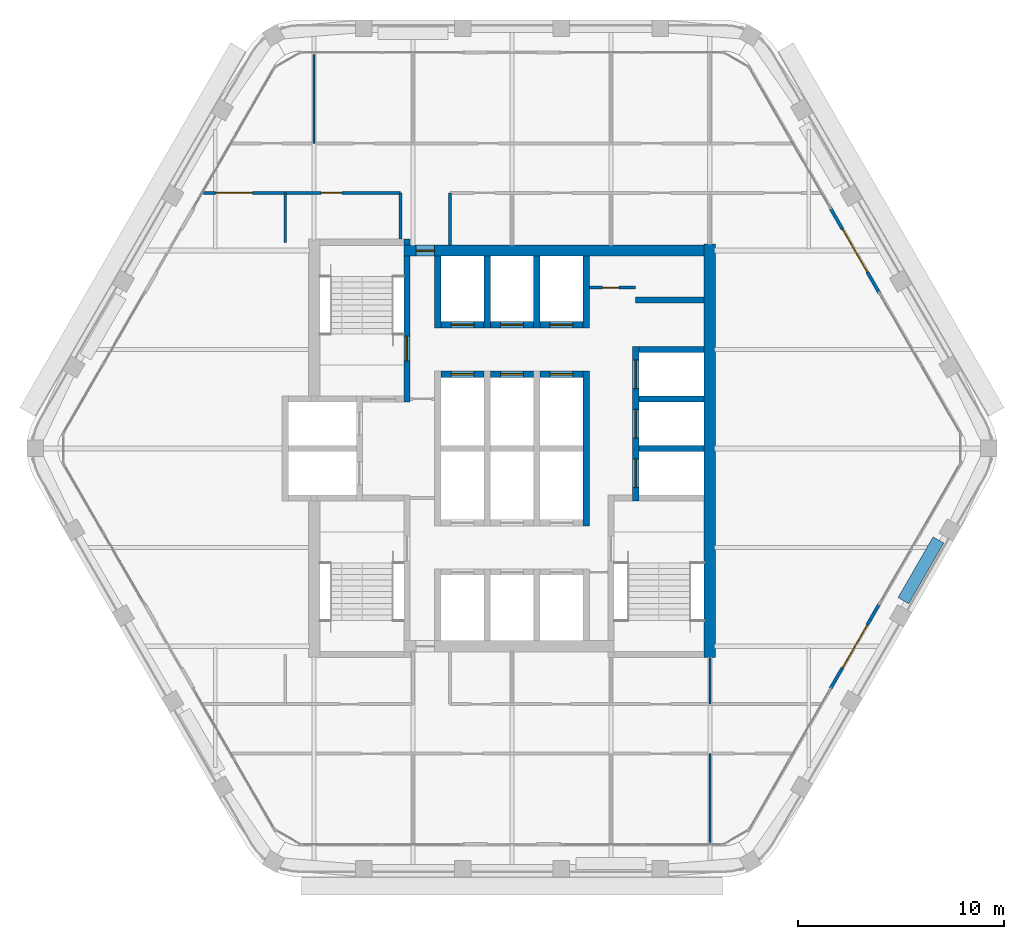
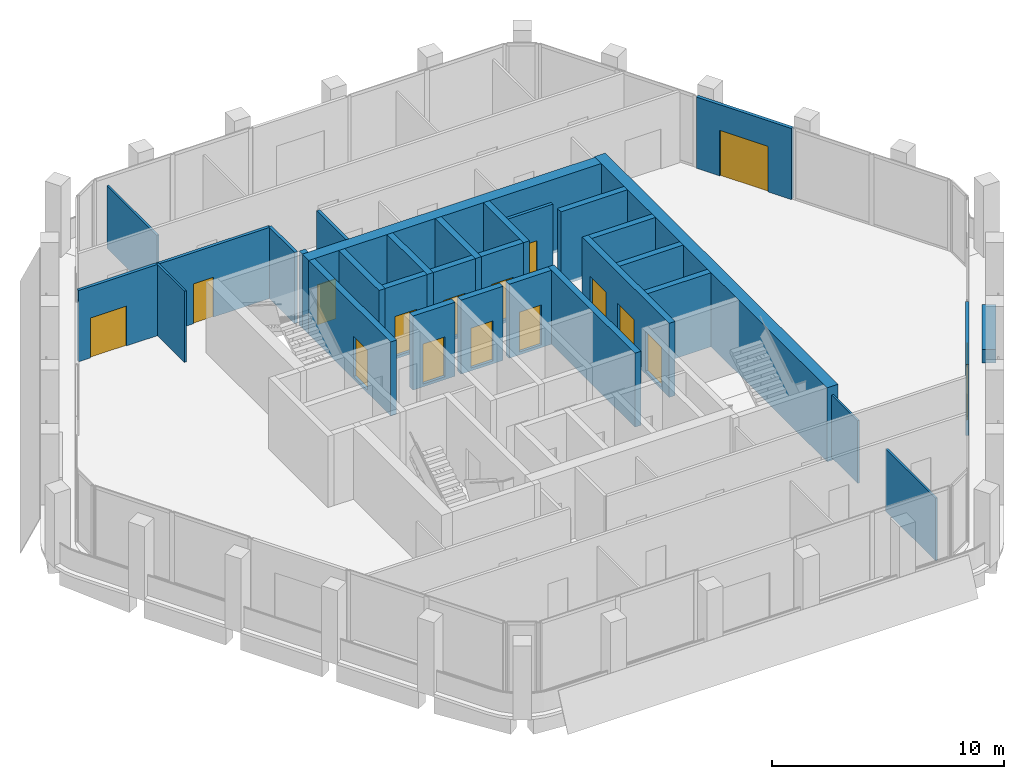
# One storey, part 9 of 14: 31 walls, 16 doors, 16 openings.
"""IFC4 building model written with IfcOpenShell, lengths in metres."""

import ifcopenshell
import ifcopenshell.guid

model = None  # the IFC model being written
_history = None  # IfcOwnerHistory: only IFC2X3 demands one
_inside = {}  # id of a spatial element -> (the spatial element, [elements in it])
_under = {}  # id of a project, library or spatial element -> (it, [spatial elements below it])
_declared = {}  # id of a project -> (the project, [libraries it declares])
_typed = {}  # id of a type object -> (the type object, [elements of that type])
_made_of = {}  # id of a material, layer set ... -> (it, [elements and type objects made of it])


def new_model(schema):
    """Start an empty IFC model of exactly this schema.

    Asked for "IFC4X3", IfcOpenShell would pick the latest addendum, in which some entities
    have other attributes; the version numbers below select the first issue.
    IFC2X3 requires an IfcOwnerHistory on every rooted entity: one is made here for all.
    """
    global model, _history
    if schema == "IFC4X3":
        model = ifcopenshell.file(schema_version=(4, 3, 0, 0))
    else:
        model = ifcopenshell.file(schema=schema)
    _inside.clear()
    _under.clear()
    _declared.clear()
    _typed.clear()
    _made_of.clear()
    _history = None
    if model.schema == "IFC2X3":
        org = make("IfcOrganization", Name="unknown")
        user = make(
            "IfcPersonAndOrganization",
            ThePerson=make("IfcPerson", FamilyName="unknown"),
            TheOrganization=org,
        )
        app = make(
            "IfcApplication",
            ApplicationDeveloper=org,
            Version="unknown",
            ApplicationFullName="unknown",
            ApplicationIdentifier="unknown",
        )
        _history = make(
            "IfcOwnerHistory",
            OwningUser=user,
            OwningApplication=app,
            ChangeAction="ADDED",
            CreationDate=0,
        )
    return model


def make(cls, **values):
    """One entity of the class cls with the attributes given. An attribute that is None is left unset."""
    return model.create_entity(
        cls, **{name: value for name, value in values.items() if value is not None}
    )


def rooted(cls, **values):
    """An entity with a GlobalId (a new one), such as an element, a storey or a relation."""
    return make(cls, GlobalId=ifcopenshell.guid.new(), OwnerHistory=_history, **values)


def si_unit(unit_type, name, prefix=None):
    """IfcSIUnit, for example si_unit("LENGTHUNIT", "METRE", prefix="MILLI")."""
    return make("IfcSIUnit", UnitType=unit_type, Prefix=prefix, Name=name)


def assignment(units):
    """IfcUnitAssignment: the units of a project."""
    return None if units is None else make("IfcUnitAssignment", Units=units)


def point(xyz):
    """IfcCartesianPoint."""
    return None if xyz is None else make("IfcCartesianPoint", Coordinates=xyz)


def direction(xyz):
    """IfcDirection."""
    return None if xyz is None else make("IfcDirection", DirectionRatios=xyz)


def frame(location, z_axis=None, x_axis=None):
    """IfcAxis2Placement3D, a coordinate frame: its origin and axes. An axis left out is left unset."""
    return make(
        "IfcAxis2Placement3D",
        Location=point(location),
        Axis=direction(z_axis),
        RefDirection=direction(x_axis),
    )


def frame_2d(location, x_axis=None):
    """IfcAxis2Placement2D, a coordinate frame in the plane: its origin and x axis."""
    return make(
        "IfcAxis2Placement2D", Location=point(location), RefDirection=direction(x_axis)
    )


def origin():
    """The frame at (0, 0, 0) with its axes left unset."""
    return frame((0.0, 0.0, 0.0))


def place(relative_to, where):
    """IfcLocalPlacement: puts the frame where relative to a parent placement (None: the world)."""
    return make(
        "IfcLocalPlacement", PlacementRelTo=relative_to, RelativePlacement=where
    )


def context(
    kind, dimensions, precision=None, world=None, true_north=None, identifier=None
):
    """IfcGeometricRepresentationContext, for example the 3D "Model" context."""
    return make(
        "IfcGeometricRepresentationContext",
        ContextIdentifier=identifier,
        ContextType=kind,
        CoordinateSpaceDimension=dimensions,
        Precision=precision,
        WorldCoordinateSystem=world,
        TrueNorth=true_north,
    )


def subcontext(parent, identifier, kind, view, scale=None):
    """IfcGeometricRepresentationSubContext, for example "Body" below "Model"."""
    return make(
        "IfcGeometricRepresentationSubContext",
        ContextIdentifier=identifier,
        ContextType=kind,
        ParentContext=parent,
        TargetScale=scale,
        TargetView=view,
    )


def project(units=None, contexts=None):
    """IfcProject with its units and contexts."""
    return rooted(
        "IfcProject",
        Name="project",
        RepresentationContexts=contexts,
        UnitsInContext=assignment(units),
    )


def spatial(cls, under=None, at=None, **own):
    """A site, building, storey or space (cls), placed at a placement, below another one or the project."""
    s = rooted(cls, ObjectPlacement=at, **own)
    if under is not None:
        _under.setdefault(under.id(), (under, []))[1].append(s)
    return s


def profile(cls, at=None, kind="AREA", **sizes):
    """A parametric profile (cls). Its sizes go by their IFC names, for example OverallWidth=200.0."""
    return make(cls, ProfileType=kind, Position=at, **sizes)


def rectangle(**sizes):
    """IfcRectangleProfileDef."""
    return profile("IfcRectangleProfileDef", **sizes)


def extrude(swept, where, along, depth):
    """IfcExtrudedAreaSolid: the profile swept, set in the frame where, extruded along a direction by depth."""
    return make(
        "IfcExtrudedAreaSolid",
        SweptArea=swept,
        Position=where,
        ExtrudedDirection=direction(along),
        Depth=depth,
    )


def shape(context_of_items, identifier, shape_type, items):
    """IfcShapeRepresentation: the items that make up one representation, for example the "Body"."""
    return make(
        "IfcShapeRepresentation",
        ContextOfItems=context_of_items,
        RepresentationIdentifier=identifier,
        RepresentationType=shape_type,
        Items=items,
    )


def material(Name=None, Category=None):
    """IfcMaterial."""
    return make("IfcMaterial", Name=Name, Category=Category)


def layer(
    of_material, thickness, ventilated=None, Name=None, Category=None, Priority=None
):
    """IfcMaterialLayer: one layer of a wall or slab, of a material (None: an air gap)."""
    return make(
        "IfcMaterialLayer",
        Material=of_material,
        LayerThickness=thickness,
        IsVentilated=ventilated,
        Name=Name,
        Category=Category,
        Priority=Priority,
    )


def layer_set(layers, Name=None):
    """IfcMaterialLayerSet."""
    return make("IfcMaterialLayerSet", MaterialLayers=layers, LayerSetName=Name)


def made_of(thing, what):
    """Note that an element or type object is made of a material, layer set ...; save() writes the relation."""
    if what is not None:
        _made_of.setdefault(what.id(), (what, []))[1].append(thing)
    return thing


def type_object(cls, material=None, **own):
    """A type object (cls), such as IfcWallType, which elements share."""
    return made_of(rooted(cls, **own), material)


def element(
    cls,
    number,
    at=None,
    inside=None,
    cuts=None,
    type_object=None,
    material=None,
    context=None,
    identifier="Body",
    shape_type=None,
    held_by="IfcProductDefinitionShape",
    body=None,
    shapes=None,
    **own,
):
    """One element of the class cls, such as IfcWall. Its Tag is "e" and its number.

    at: its placement. inside: the storey or other place that contains it. cuts: it is an
    opening in that element (IfcRelVoidsElement). A single representation is given by context,
    identifier, shape_type and body (its items); several are given by shapes. held_by: the class
    of the entity that holds the representations. save() writes the other relations.
    """
    e = rooted(cls, Tag="e%d" % number, ObjectPlacement=at, **own)
    if body is not None:
        shapes = [shape(context, identifier, shape_type, body)]
    if shapes is not None:
        e.Representation = make(held_by, Representations=shapes)
    if inside is not None:
        _inside.setdefault(inside.id(), (inside, []))[1].append(e)
    if cuts is not None:
        rooted(
            "IfcRelVoidsElement", RelatingBuildingElement=cuts, RelatedOpeningElement=e
        )
    if type_object is not None:
        _typed.setdefault(type_object.id(), (type_object, []))[1].append(e)
    return made_of(e, material)


def fill(opening, filler):
    """IfcRelFillsElement: the door or window that sits in an opening."""
    return rooted(
        "IfcRelFillsElement",
        RelatingOpeningElement=opening,
        RelatedBuildingElement=filler,
    )


def aggregate(whole, parts):
    """IfcRelAggregates: a whole, such as a stair, and the parts it consists of."""
    return rooted("IfcRelAggregates", RelatingObject=whole, RelatedObjects=parts)


def save(model, path):
    """Write the relations noted so far, then the file.

    IfcRelAggregates (storeys below a building ...), IfcRelContainedInSpatialStructure (elements
    in a storey), IfcRelDefinesByType, IfcRelAssociatesMaterial and IfcRelDeclares: one each for
    every whole, place, type object, material and project.
    """
    for whole, parts in _under.values():
        aggregate(whole, parts)
    for where, things in _inside.values():
        rooted(
            "IfcRelContainedInSpatialStructure",
            RelatedElements=things,
            RelatingStructure=where,
        )
    for kind, things in _typed.values():
        rooted("IfcRelDefinesByType", RelatedObjects=things, RelatingType=kind)
    for what, things in _made_of.values():
        rooted("IfcRelAssociatesMaterial", RelatedObjects=things, RelatingMaterial=what)
    for by, libraries in _declared.values():
        rooted("IfcRelDeclares", RelatingContext=by, RelatedDefinitions=libraries)
    model.write(path)


model = new_model("IFC4")

# Units and contexts
model_context = context("Model", 3, precision=1e-05, world=origin(), true_north=direction((0.0, 1.0)))
body_context = subcontext(model_context, "Body", "Model", "MODEL_VIEW")
ifc_project = project(units=[si_unit("LENGTHUNIT", "METRE"), si_unit("AREAUNIT", "SQUARE_METRE"), si_unit("VOLUMEUNIT", "CUBIC_METRE"), si_unit("PLANEANGLEUNIT", "RADIAN"), si_unit("MASSUNIT", "GRAM", prefix="KILO")], contexts=[model_context])

# Site, building, storey
site_placement = place(None, origin())
site = spatial("IfcSite", under=ifc_project, at=site_placement, CompositionType="ELEMENT")
building_placement = place(site_placement, origin())
building = spatial("IfcBuilding", under=site, at=building_placement, Name="Kolab Exchange Tower", CompositionType="ELEMENT")
storey_placement = place(building_placement, frame((0.0, 0.0, 246.199951171875)))
storey = spatial("IfcBuildingStorey", under=building, at=storey_placement, Name="L54", CompositionType="ELEMENT", Elevation=246.199951171875)

# Wall, opening, door
ifc_material_1 = material(Name="Concrete C50/60", Category="concrete")
ifc_layer_1 = layer(ifc_material_1, 0.550048828125)
ifc_layer_set_1 = layer_set([ifc_layer_1], Name="Concrete C50/60")
wall_type_1 = type_object("IfcWallType", Name="CORE WALL 550 C50/60", PredefinedType="SHEAR", material=ifc_layer_set_1)
wall_1_placement = place(storey_placement, frame((-5.25, 9.60009765625, -0.14990234375), z_axis=(0.0, 0.0, 1.0), x_axis=(1.0, 0.0, 0.0)))
wall_1 = element("IfcWall", 1, at=wall_1_placement, inside=storey, type_object=wall_type_1, Name="wall/L54/core/031", PredefinedType="SHEAR", context=body_context, shape_type="SweptSolid", body=[
    extrude(rectangle(XDim=14.574951171875, YDim=0.550048828125, at=frame_2d((7.28759765625, 0.0))), origin(), (0.0, 0.0, 1.0), 3.89990234375),
])
opening_1_placement = place(wall_1_placement, frame((0.60009765625, 0.0, 0.14990234375)))
opening_1 = element("IfcOpeningElement", 2, at=opening_1_placement, cuts=wall_1, Name="Opening D6-295", PredefinedType="OPENING", context=body_context, shape_type="SweptSolid", body=[
    extrude(rectangle(XDim=0.89990234375, YDim=2.10009765625, at=frame_2d((0.449951171875, 1.050048828125))), frame((0.0, 0.28515625, 0.0), z_axis=(0.0, -1.0, 0.0), x_axis=(1.0, 0.0, 0.0)), (0.0, 0.0, 1.0), 0.570068359375),
])
ifc_material_2 = material(Name="Steel S235", Category="steel")
door_type_1 = type_object("IfcDoorType", Name="CORE DOOR 900 EI 120", OperationType="SINGLE_SWING_LEFT", PredefinedType="DOOR", material=ifc_material_2)
door_1_placement = place(opening_1_placement, frame((0.89990234375, 0.0, 0.0), z_axis=(0.0, 0.0, 1.0), x_axis=(-1.0, 0.0, 0.0)))
door_1 = element("IfcDoor", 3, at=door_1_placement, inside=storey, type_object=door_type_1, Name="Core lobby door", OperationType="SINGLE_SWING_RIGHT", OverallHeight=2.10009765625, OverallWidth=0.89990234375, PredefinedType="DOOR", context=body_context, shape_type="SweptSolid", body=[
    extrude(rectangle(XDim=0.89990234375, YDim=2.10009765625, at=frame_2d((0.449951171875, 1.050048828125))), frame((0.0, 0.02490234375, 0.0), z_axis=(0.0, -1.0, 0.0), x_axis=(1.0, 0.0, 0.0)), (0.0, 0.0, 1.0), 0.050048828125),
])
fill(opening_1, door_1)

# Wall
wall_2_placement = place(storey_placement, frame((9.60009765625, -10.14990234375, -0.14990234375), z_axis=(0.0, 0.0, 1.0), x_axis=(0.0, 1.0, 0.0)))
element("IfcWall", 4, at=wall_2_placement, inside=storey, type_object=wall_type_1, Name="wall/L54/core/058", PredefinedType="SHEAR", context=body_context, shape_type="SweptSolid", body=[
    extrude(rectangle(XDim=20.074951171875, YDim=0.550048828125, at=frame_2d((10.03759765625, 0.0))), origin(), (0.0, 0.0, 1.0), 3.89990234375),
])

# Wall, opening, door
ifc_material_3 = material(Name="Aluminium EN AW-6063 T6", Category="aluminium")
ifc_layer_2 = layer(ifc_material_3, 0.159912109375)
ifc_layer_set_2 = layer_set([ifc_layer_2], Name="Aluminium EN AW-6063 T6")
wall_type_2 = type_object("IfcWallType", Name="DOOR SURROUND WALL 160 ALUMINIUM FRAMED", PredefinedType="PARTITIONING", material=ifc_layer_set_2)
wall_3_placement = place(storey_placement, frame((15.44677734375, 11.65478515625, 0.0), z_axis=(0.0, 0.0, 1.0), x_axis=(0.499978080042, -0.866038058908, 0.0)))
wall_3 = element("IfcWall", 5, at=wall_3_placement, inside=storey, type_object=wall_type_2, Name="Door surround wall", PredefinedType="PARTITIONING", context=body_context, shape_type="SweptSolid", body=[
    extrude(rectangle(XDim=4.739990234375, YDim=0.159912109375, at=frame_2d((2.3701171875, 0.0))), origin(), (0.0, 0.0, 1.0), 3.75),
])
opening_2_placement = place(wall_3_placement, frame((1.169921875, 0.0, 0.0)))
opening_2 = element("IfcOpeningElement", 6, at=opening_2_placement, cuts=wall_3, Name="Opening GD1-090", PredefinedType="OPENING", context=body_context, shape_type="SweptSolid", body=[
    extrude(rectangle(XDim=2.39990234375, YDim=2.39990234375, at=frame_2d((1.199951171875, 1.199951171875))), frame((0.0, 0.08984375, 0.0), z_axis=(0.0, -1.0, 0.0), x_axis=(1.0, 0.0, 0.0)), (0.0, 0.0, 1.0), 0.179931640625),
])
door_type_2 = type_object("IfcDoorType", Name="LOGGIA SLIDING GLASS DOOR 2400 X 2400", OperationType="DOUBLE_DOOR_SINGLE_SWING", PredefinedType="DOOR", material=ifc_material_3)
door_2_placement = place(opening_2_placement, origin())
door_2 = element("IfcDoor", 7, at=door_2_placement, inside=storey, type_object=door_type_2, Name="Loggia door", OperationType="DOUBLE_DOOR_SLIDING", OverallHeight=2.39990234375, OverallWidth=2.39990234375, PredefinedType="DOOR", context=body_context, shape_type="SweptSolid", body=[
    extrude(rectangle(XDim=2.39990234375, YDim=2.39990234375, at=frame_2d((1.199951171875, 1.199951171875))), frame((0.0, 0.02490234375, 0.0), z_axis=(0.0, -1.0, 0.0), x_axis=(1.0, 0.0, 0.0)), (0.0, 0.0, 1.0), 0.050048828125),
])
fill(opening_2, door_2)

wall_4_placement = place(storey_placement, frame((17.816650390625, -7.5498046875, 0.0), z_axis=(0.0, 0.0, 1.0), x_axis=(-0.499978080042, -0.866038058908, 0.0)))
wall_4 = element("IfcWall", 8, at=wall_4_placement, inside=storey, type_object=wall_type_2, Name="Door surround wall", PredefinedType="PARTITIONING", context=body_context, shape_type="SweptSolid", body=[
    extrude(rectangle(XDim=4.739990234375, YDim=0.159912109375, at=frame_2d((2.3701171875, 0.0))), origin(), (0.0, 0.0, 1.0), 3.75),
])
opening_3_placement = place(wall_4_placement, frame((1.169921875, 0.0, 0.0)))
opening_3 = element("IfcOpeningElement", 9, at=opening_3_placement, cuts=wall_4, Name="Opening GD1-091", PredefinedType="OPENING", context=body_context, shape_type="SweptSolid", body=[
    extrude(rectangle(XDim=2.39990234375, YDim=2.39990234375, at=frame_2d((1.199951171875, 1.199951171875))), frame((0.0, 0.08984375, 0.0), z_axis=(0.0, -1.0, 0.0), x_axis=(1.0, 0.0, 0.0)), (0.0, 0.0, 1.0), 0.179931640625),
])
door_3_placement = place(opening_3_placement, origin())
door_3 = element("IfcDoor", 10, at=door_3_placement, inside=storey, type_object=door_type_2, Name="Loggia door", OperationType="DOUBLE_DOOR_SLIDING", OverallHeight=2.39990234375, OverallWidth=2.39990234375, PredefinedType="DOOR", context=body_context, shape_type="SweptSolid", body=[
    extrude(rectangle(XDim=2.39990234375, YDim=2.39990234375, at=frame_2d((1.199951171875, 1.199951171875))), frame((0.0, 0.02490234375, 0.0), z_axis=(0.0, -1.0, 0.0), x_axis=(1.0, 0.0, 0.0)), (0.0, 0.0, 1.0), 0.050048828125),
])
fill(opening_3, door_3)

# Walls
ifc_layer_3 = layer(ifc_material_1, 0.300048828125)
ifc_layer_set_3 = layer_set([ifc_layer_3], Name="Concrete C50/60")
wall_type_3 = type_object("IfcWallType", Name="LIFT SHAFT WALL 300 C50/60", PredefinedType="STANDARD", material=ifc_layer_set_3)
for number, where, z_axis, x_axis, name in (
    (11, (6.14990234375, 0.0, -0.14990234375), (0.0, 0.0, 1.0), (1.0, 0.0, 0.0), "wall/L54/core/018"),
    (12, (6.14990234375, 2.39990234375, -0.14990234375), (0.0, 0.0, 1.0), (1.0, 0.0, 0.0), "wall/L54/core/022"),
):
    element("IfcWall", number, at=place(storey_placement, frame(where, z_axis=z_axis, x_axis=x_axis)), inside=storey, type_object=wall_type_3, Name=name, PredefinedType="STANDARD", context=body_context, shape_type="SweptSolid", body=[
        extrude(rectangle(XDim=3.175048828125, YDim=0.300048828125, at=frame_2d((1.58740234375, 0.0))), origin(), (0.0, 0.0, 1.0), 3.89990234375),
    ])

# Wall, opening, door
wall_5_placement = place(storey_placement, frame((-3.449951171875, 3.60009765625, -0.14990234375), z_axis=(0.0, 0.0, 1.0), x_axis=(1.0, 0.0, 0.0)))
wall_5 = element("IfcWall", 13, at=wall_5_placement, inside=storey, type_object=wall_type_3, Name="wall/L54/core/023", PredefinedType="STANDARD", context=body_context, shape_type="SweptSolid", body=[
    extrude(rectangle(XDim=2.099853515625, YDim=0.300048828125, at=frame_2d((1.0498046875, 0.0))), origin(), (0.0, 0.0, 1.0), 3.89990234375),
])
opening_4_placement = place(wall_5_placement, frame((0.5, 0.0, 0.14990234375)))
opening_4 = element("IfcOpeningElement", 14, at=opening_4_placement, cuts=wall_5, Name="Opening LD1-115", PredefinedType="OPENING", context=body_context, shape_type="SweptSolid", body=[
    extrude(rectangle(XDim=1.10009765625, YDim=2.10009765625, at=frame_2d((0.550048828125, 1.050048828125))), frame((0.0, 0.16015625, 0.0), z_axis=(0.0, -1.0, 0.0), x_axis=(1.0, 0.0, 0.0)), (0.0, 0.0, 1.0), 0.320068359375),
])
ifc_material_4 = material(Name="Stainless steel 316", Category="steel")
door_type_3 = type_object("IfcDoorType", Name="LANDING DOOR 1100 PASSENGER", OperationType="DOUBLE_DOOR_SLIDING", PredefinedType="DOOR", material=ifc_material_4)
door_4_placement = place(opening_4_placement, origin())
door_4 = element("IfcDoor", 15, at=door_4_placement, inside=storey, type_object=door_type_3, Name="Landing door HR4", OperationType="DOUBLE_DOOR_SLIDING", OverallHeight=2.10009765625, OverallWidth=1.10009765625, PredefinedType="DOOR", context=body_context, shape_type="SweptSolid", body=[
    extrude(rectangle(XDim=1.10009765625, YDim=2.10009765625, at=frame_2d((0.550048828125, 1.050048828125))), frame((0.0, 0.02490234375, 0.0), z_axis=(0.0, -1.0, 0.0), x_axis=(1.0, 0.0, 0.0)), (0.0, 0.0, 1.0), 0.050048828125),
])
fill(opening_4, door_4)

wall_6_placement = place(storey_placement, frame((-1.050048828125, 3.60009765625, -0.14990234375), z_axis=(0.0, 0.0, 1.0), x_axis=(1.0, 0.0, 0.0)))
wall_6 = element("IfcWall", 16, at=wall_6_placement, inside=storey, type_object=wall_type_3, Name="wall/L54/core/024", PredefinedType="STANDARD", context=body_context, shape_type="SweptSolid", body=[
    extrude(rectangle(XDim=2.10009765625, YDim=0.300048828125, at=frame_2d((1.050048828125, 0.0))), origin(), (0.0, 0.0, 1.0), 3.89990234375),
])
opening_5_placement = place(wall_6_placement, frame((0.5, 0.0, 0.14990234375)))
opening_5 = element("IfcOpeningElement", 17, at=opening_5_placement, cuts=wall_6, Name="Opening LD1-116", PredefinedType="OPENING", context=body_context, shape_type="SweptSolid", body=[
    extrude(rectangle(XDim=1.10009765625, YDim=2.10009765625, at=frame_2d((0.550048828125, 1.050048828125))), frame((0.0, 0.16015625, 0.0), z_axis=(0.0, -1.0, 0.0), x_axis=(1.0, 0.0, 0.0)), (0.0, 0.0, 1.0), 0.320068359375),
])
door_5_placement = place(opening_5_placement, origin())
door_5 = element("IfcDoor", 18, at=door_5_placement, inside=storey, type_object=door_type_3, Name="Landing door HR5", OperationType="DOUBLE_DOOR_SLIDING", OverallHeight=2.10009765625, OverallWidth=1.10009765625, PredefinedType="DOOR", context=body_context, shape_type="SweptSolid", body=[
    extrude(rectangle(XDim=1.10009765625, YDim=2.10009765625, at=frame_2d((0.550048828125, 1.050048828125))), frame((0.0, 0.02490234375, 0.0), z_axis=(0.0, -1.0, 0.0), x_axis=(1.0, 0.0, 0.0)), (0.0, 0.0, 1.0), 0.050048828125),
])
fill(opening_5, door_5)

wall_7_placement = place(storey_placement, frame((1.35009765625, 3.60009765625, -0.14990234375), z_axis=(0.0, 0.0, 1.0), x_axis=(1.0, 0.0, 0.0)))
wall_7 = element("IfcWall", 19, at=wall_7_placement, inside=storey, type_object=wall_type_3, Name="wall/L54/core/025", PredefinedType="STANDARD", context=body_context, shape_type="SweptSolid", body=[
    extrude(rectangle(XDim=2.099853515625, YDim=0.300048828125, at=frame_2d((1.0498046875, 0.0))), origin(), (0.0, 0.0, 1.0), 3.89990234375),
])
opening_6_placement = place(wall_7_placement, frame((0.5, 0.0, 0.14990234375)))
opening_6 = element("IfcOpeningElement", 20, at=opening_6_placement, cuts=wall_7, Name="Opening LD1-117", PredefinedType="OPENING", context=body_context, shape_type="SweptSolid", body=[
    extrude(rectangle(XDim=1.10009765625, YDim=2.10009765625, at=frame_2d((0.550048828125, 1.050048828125))), frame((0.0, 0.16015625, 0.0), z_axis=(0.0, -1.0, 0.0), x_axis=(1.0, 0.0, 0.0)), (0.0, 0.0, 1.0), 0.320068359375),
])
door_6_placement = place(opening_6_placement, origin())
door_6 = element("IfcDoor", 21, at=door_6_placement, inside=storey, type_object=door_type_3, Name="Landing door HR6", OperationType="DOUBLE_DOOR_SLIDING", OverallHeight=2.10009765625, OverallWidth=1.10009765625, PredefinedType="DOOR", context=body_context, shape_type="SweptSolid", body=[
    extrude(rectangle(XDim=1.10009765625, YDim=2.10009765625, at=frame_2d((0.550048828125, 1.050048828125))), frame((0.0, 0.02490234375, 0.0), z_axis=(0.0, -1.0, 0.0), x_axis=(1.0, 0.0, 0.0)), (0.0, 0.0, 1.0), 0.050048828125),
])
fill(opening_6, door_6)

# Wall
wall_8_placement = place(storey_placement, frame((6.14990234375, 4.800048828125, -0.14990234375), z_axis=(0.0, 0.0, 1.0), x_axis=(1.0, 0.0, 0.0)))
element("IfcWall", 22, at=wall_8_placement, inside=storey, type_object=wall_type_3, Name="wall/L54/core/026", PredefinedType="STANDARD", context=body_context, shape_type="SweptSolid", body=[
    extrude(rectangle(XDim=3.175048828125, YDim=0.300048828125, at=frame_2d((1.58740234375, 0.0))), origin(), (0.0, 0.0, 1.0), 3.89990234375),
])

# Wall, opening, door
wall_9_placement = place(storey_placement, frame((-3.449951171875, 6.0, -0.14990234375), z_axis=(0.0, 0.0, 1.0), x_axis=(1.0, 0.0, 0.0)))
wall_9 = element("IfcWall", 23, at=wall_9_placement, inside=storey, type_object=wall_type_3, Name="wall/L54/core/027", PredefinedType="STANDARD", context=body_context, shape_type="SweptSolid", body=[
    extrude(rectangle(XDim=2.099853515625, YDim=0.300048828125, at=frame_2d((1.0498046875, 0.0))), origin(), (0.0, 0.0, 1.0), 3.89990234375),
])
opening_7_placement = place(wall_9_placement, frame((0.5, 0.0, 0.14990234375)))
opening_7 = element("IfcOpeningElement", 24, at=opening_7_placement, cuts=wall_9, Name="Opening LD1-109", PredefinedType="OPENING", context=body_context, shape_type="SweptSolid", body=[
    extrude(rectangle(XDim=1.10009765625, YDim=2.10009765625, at=frame_2d((0.550048828125, 1.050048828125))), frame((0.0, 0.16015625, 0.0), z_axis=(0.0, -1.0, 0.0), x_axis=(1.0, 0.0, 0.0)), (0.0, 0.0, 1.0), 0.320068359375),
])
door_7_placement = place(opening_7_placement, origin())
door_7 = element("IfcDoor", 25, at=door_7_placement, inside=storey, type_object=door_type_3, Name="Landing door HR1", OperationType="DOUBLE_DOOR_SLIDING", OverallHeight=2.10009765625, OverallWidth=1.10009765625, PredefinedType="DOOR", context=body_context, shape_type="SweptSolid", body=[
    extrude(rectangle(XDim=1.10009765625, YDim=2.10009765625, at=frame_2d((0.550048828125, 1.050048828125))), frame((0.0, 0.02490234375, 0.0), z_axis=(0.0, -1.0, 0.0), x_axis=(1.0, 0.0, 0.0)), (0.0, 0.0, 1.0), 0.050048828125),
])
fill(opening_7, door_7)

wall_10_placement = place(storey_placement, frame((-1.050048828125, 6.0, -0.14990234375), z_axis=(0.0, 0.0, 1.0), x_axis=(1.0, 0.0, 0.0)))
wall_10 = element("IfcWall", 26, at=wall_10_placement, inside=storey, type_object=wall_type_3, Name="wall/L54/core/028", PredefinedType="STANDARD", context=body_context, shape_type="SweptSolid", body=[
    extrude(rectangle(XDim=2.10009765625, YDim=0.300048828125, at=frame_2d((1.050048828125, 0.0))), origin(), (0.0, 0.0, 1.0), 3.89990234375),
])
opening_8_placement = place(wall_10_placement, frame((0.5, 0.0, 0.14990234375)))
opening_8 = element("IfcOpeningElement", 27, at=opening_8_placement, cuts=wall_10, Name="Opening LD1-113", PredefinedType="OPENING", context=body_context, shape_type="SweptSolid", body=[
    extrude(rectangle(XDim=1.10009765625, YDim=2.10009765625, at=frame_2d((0.550048828125, 1.050048828125))), frame((0.0, 0.16015625, 0.0), z_axis=(0.0, -1.0, 0.0), x_axis=(1.0, 0.0, 0.0)), (0.0, 0.0, 1.0), 0.320068359375),
])
door_8_placement = place(opening_8_placement, origin())
door_8 = element("IfcDoor", 28, at=door_8_placement, inside=storey, type_object=door_type_3, Name="Landing door HR2", OperationType="DOUBLE_DOOR_SLIDING", OverallHeight=2.10009765625, OverallWidth=1.10009765625, PredefinedType="DOOR", context=body_context, shape_type="SweptSolid", body=[
    extrude(rectangle(XDim=1.10009765625, YDim=2.10009765625, at=frame_2d((0.550048828125, 1.050048828125))), frame((0.0, 0.02490234375, 0.0), z_axis=(0.0, -1.0, 0.0), x_axis=(1.0, 0.0, 0.0)), (0.0, 0.0, 1.0), 0.050048828125),
])
fill(opening_8, door_8)

wall_11_placement = place(storey_placement, frame((1.35009765625, 6.0, -0.14990234375), z_axis=(0.0, 0.0, 1.0), x_axis=(1.0, 0.0, 0.0)))
wall_11 = element("IfcWall", 29, at=wall_11_placement, inside=storey, type_object=wall_type_3, Name="wall/L54/core/029", PredefinedType="STANDARD", context=body_context, shape_type="SweptSolid", body=[
    extrude(rectangle(XDim=2.099853515625, YDim=0.300048828125, at=frame_2d((1.0498046875, 0.0))), origin(), (0.0, 0.0, 1.0), 3.89990234375),
])
opening_9_placement = place(wall_11_placement, frame((0.5, 0.0, 0.14990234375)))
opening_9 = element("IfcOpeningElement", 30, at=opening_9_placement, cuts=wall_11, Name="Opening LD1-114", PredefinedType="OPENING", context=body_context, shape_type="SweptSolid", body=[
    extrude(rectangle(XDim=1.10009765625, YDim=2.10009765625, at=frame_2d((0.550048828125, 1.050048828125))), frame((0.0, 0.16015625, 0.0), z_axis=(0.0, -1.0, 0.0), x_axis=(1.0, 0.0, 0.0)), (0.0, 0.0, 1.0), 0.320068359375),
])
door_9_placement = place(opening_9_placement, origin())
door_9 = element("IfcDoor", 31, at=door_9_placement, inside=storey, type_object=door_type_3, Name="Landing door HR3", OperationType="DOUBLE_DOOR_SLIDING", OverallHeight=2.10009765625, OverallWidth=1.10009765625, PredefinedType="DOOR", context=body_context, shape_type="SweptSolid", body=[
    extrude(rectangle(XDim=1.10009765625, YDim=2.10009765625, at=frame_2d((0.550048828125, 1.050048828125))), frame((0.0, 0.02490234375, 0.0), z_axis=(0.0, -1.0, 0.0), x_axis=(1.0, 0.0, 0.0)), (0.0, 0.0, 1.0), 0.050048828125),
])
fill(opening_9, door_9)

# Walls
wall_12_placement = place(storey_placement, frame((6.0, 7.199951171875, -0.14990234375), z_axis=(0.0, 0.0, 1.0), x_axis=(1.0, 0.0, 0.0)))
element("IfcWall", 32, at=wall_12_placement, inside=storey, type_object=wall_type_3, Name="wall/L54/core/030", PredefinedType="STANDARD", context=body_context, shape_type="SweptSolid", body=[
    extrude(rectangle(XDim=3.324951171875, YDim=0.300048828125, at=frame_2d((1.66259765625, 0.0))), origin(), (0.0, 0.0, 1.0), 3.89990234375),
])
for number, where, z_axis, x_axis, name in (
    (33, (-3.60009765625, 5.85009765625, -0.14990234375), (0.0, 0.0, 1.0), (0.0, 1.0, 0.0), "wall/L54/core/045"),
    (34, (-1.199951171875, 5.85009765625, -0.14990234375), (0.0, 0.0, 1.0), (0.0, 1.0, 0.0), "wall/L54/core/048"),
    (35, (1.199951171875, 5.85009765625, -0.14990234375), (0.0, 0.0, 1.0), (0.0, 1.0, 0.0), "wall/L54/core/051"),
):
    element("IfcWall", number, at=place(storey_placement, frame(where, z_axis=z_axis, x_axis=x_axis)), inside=storey, type_object=wall_type_3, Name=name, PredefinedType="STANDARD", context=body_context, shape_type="SweptSolid", body=[
        extrude(rectangle(XDim=3.474853515625, YDim=0.300048828125, at=frame_2d((1.7373046875, 0.0))), origin(), (0.0, 0.0, 1.0), 3.89990234375),
    ])
wall_13_placement = place(storey_placement, frame((3.60009765625, -3.75, -0.14990234375), z_axis=(0.0, 0.0, 1.0), x_axis=(0.0, 1.0, 0.0)))
element("IfcWall", 36, at=wall_13_placement, inside=storey, type_object=wall_type_3, Name="wall/L54/core/053", PredefinedType="STANDARD", context=body_context, shape_type="SweptSolid", body=[
    extrude(rectangle(XDim=7.5, YDim=0.300048828125, at=frame_2d((3.75, 0.0))), origin(), (0.0, 0.0, 1.0), 3.89990234375),
])
wall_14_placement = place(storey_placement, frame((3.60009765625, 5.85009765625, -0.14990234375), z_axis=(0.0, 0.0, 1.0), x_axis=(0.0, 1.0, 0.0)))
element("IfcWall", 37, at=wall_14_placement, inside=storey, type_object=wall_type_3, Name="wall/L54/core/054", PredefinedType="STANDARD", context=body_context, shape_type="SweptSolid", body=[
    extrude(rectangle(XDim=3.474853515625, YDim=0.300048828125, at=frame_2d((1.7373046875, 0.0))), origin(), (0.0, 0.0, 1.0), 3.89990234375),
])

# Wall, openings, doors
wall_15_placement = place(storey_placement, frame((6.0, -2.550048828125, -0.14990234375), z_axis=(0.0, 0.0, 1.0), x_axis=(0.0, 1.0, 0.0)))
wall_15 = element("IfcWall", 38, at=wall_15_placement, inside=storey, type_object=wall_type_3, Name="wall/L54/core/057", PredefinedType="STANDARD", context=body_context, shape_type="SweptSolid", body=[
    extrude(rectangle(XDim=7.5, YDim=0.300048828125, at=frame_2d((3.75, 0.0))), origin(), (0.0, 0.0, 1.0), 3.89990234375),
])
opening_10_placement = place(wall_15_placement, frame((0.64990234375, 0.0, 0.14990234375)))
opening_10 = element("IfcOpeningElement", 39, at=opening_10_placement, cuts=wall_15, Name="Opening LD3-037", PredefinedType="OPENING", context=body_context, shape_type="SweptSolid", body=[
    extrude(rectangle(XDim=1.39990234375, YDim=2.10009765625, at=frame_2d((0.699951171875, 1.050048828125))), frame((0.0, 0.16015625, 0.0), z_axis=(0.0, -1.0, 0.0), x_axis=(1.0, 0.0, 0.0)), (0.0, 0.0, 1.0), 0.320068359375),
])
opening_11_placement = place(wall_15_placement, frame((3.050048828125, 0.0, 0.14990234375)))
opening_11 = element("IfcOpeningElement", 40, at=opening_11_placement, cuts=wall_15, Name="Opening LD3-038", PredefinedType="OPENING", context=body_context, shape_type="SweptSolid", body=[
    extrude(rectangle(XDim=1.39990234375, YDim=2.10009765625, at=frame_2d((0.699951171875, 1.050048828125))), frame((0.0, 0.16015625, 0.0), z_axis=(0.0, -1.0, 0.0), x_axis=(1.0, 0.0, 0.0)), (0.0, 0.0, 1.0), 0.320068359375),
])
opening_12_placement = place(wall_15_placement, frame((5.449951171875, 0.0, 0.14990234375)))
opening_12 = element("IfcOpeningElement", 41, at=opening_12_placement, cuts=wall_15, Name="Opening LD3-039", PredefinedType="OPENING", context=body_context, shape_type="SweptSolid", body=[
    extrude(rectangle(XDim=1.39990234375, YDim=2.10009765625, at=frame_2d((0.699951171875, 1.050048828125))), frame((0.0, 0.16015625, 0.0), z_axis=(0.0, -1.0, 0.0), x_axis=(1.0, 0.0, 0.0)), (0.0, 0.0, 1.0), 0.320068359375),
])
door_type_4 = type_object("IfcDoorType", Name="LANDING DOOR 1400 SERVICE", OperationType="DOUBLE_DOOR_SLIDING", PredefinedType="DOOR", material=ifc_material_4)
door_10_placement = place(opening_10_placement, origin())
door_10 = element("IfcDoor", 42, at=door_10_placement, inside=storey, type_object=door_type_4, Name="Landing door SV1", OperationType="DOUBLE_DOOR_SLIDING", OverallHeight=2.10009765625, OverallWidth=1.39990234375, PredefinedType="DOOR", context=body_context, shape_type="SweptSolid", body=[
    extrude(rectangle(XDim=1.39990234375, YDim=2.10009765625, at=frame_2d((0.699951171875, 1.050048828125))), frame((0.0, 0.02490234375, 0.0), z_axis=(0.0, -1.0, 0.0), x_axis=(1.0, 0.0, 0.0)), (0.0, 0.0, 1.0), 0.050048828125),
])
fill(opening_10, door_10)
door_11_placement = place(opening_11_placement, origin())
door_11 = element("IfcDoor", 43, at=door_11_placement, inside=storey, type_object=door_type_4, Name="Landing door SV2", OperationType="DOUBLE_DOOR_SLIDING", OverallHeight=2.10009765625, OverallWidth=1.39990234375, PredefinedType="DOOR", context=body_context, shape_type="SweptSolid", body=[
    extrude(rectangle(XDim=1.39990234375, YDim=2.10009765625, at=frame_2d((0.699951171875, 1.050048828125))), frame((0.0, 0.02490234375, 0.0), z_axis=(0.0, -1.0, 0.0), x_axis=(1.0, 0.0, 0.0)), (0.0, 0.0, 1.0), 0.050048828125),
])
fill(opening_11, door_11)
door_12_placement = place(opening_12_placement, origin())
door_12 = element("IfcDoor", 44, at=door_12_placement, inside=storey, type_object=door_type_4, Name="Landing door SV3", OperationType="DOUBLE_DOOR_SLIDING", OverallHeight=2.10009765625, OverallWidth=1.39990234375, PredefinedType="DOOR", context=body_context, shape_type="SweptSolid", body=[
    extrude(rectangle(XDim=1.39990234375, YDim=2.10009765625, at=frame_2d((0.699951171875, 1.050048828125))), frame((0.0, 0.02490234375, 0.0), z_axis=(0.0, -1.0, 0.0), x_axis=(1.0, 0.0, 0.0)), (0.0, 0.0, 1.0), 0.050048828125),
])
fill(opening_12, door_12)

# Walls
ifc_material_5 = material(Name="Gypsum board", Category="gypsum")
ifc_layer_4 = layer(ifc_material_5, 0.10009765625)
ifc_layer_set_4 = layer_set([ifc_layer_4], Name="Gypsum board")
wall_type_4 = type_object("IfcWallType", Name="PARTITION 100", PredefinedType="PARTITIONING", material=ifc_layer_set_4)
wall_16_placement = place(storey_placement, frame((9.60009765625, -19.114501953125, 0.0), z_axis=(0.0, 0.0, 1.0), x_axis=(0.0, 1.0, 0.0)))
element("IfcWall", 45, at=wall_16_placement, inside=storey, type_object=wall_type_4, Name="Partition 000", PredefinedType="PARTITIONING", context=body_context, shape_type="SweptSolid", body=[
    extrude(rectangle(XDim=4.314453125, YDim=0.10009765625, at=frame_2d((2.1572265625, 0.0))), origin(), (0.0, 0.0, 1.0), 3.29296875),
])
wall_17_placement = place(storey_placement, frame((9.60009765625, -12.39990234375, 0.0), z_axis=(0.0, 0.0, 1.0), x_axis=(0.0, 1.0, 0.0)))
element("IfcWall", 46, at=wall_17_placement, inside=storey, type_object=wall_type_4, Name="Partition 001", PredefinedType="PARTITIONING", context=body_context, shape_type="SweptSolid", body=[
    extrude(rectangle(XDim=2.25, YDim=0.10009765625, at=frame_2d((1.125, 0.0))), origin(), (0.0, 0.0, 1.0), 3.29296875),
])
wall_18_placement = place(storey_placement, frame((-9.60009765625, 14.800048828125, 0.0), z_axis=(0.0, 0.0, 1.0), x_axis=(0.0, 1.0, 0.0)))
element("IfcWall", 47, at=wall_18_placement, inside=storey, type_object=wall_type_4, Name="Partition 016", PredefinedType="PARTITIONING", context=body_context, shape_type="SweptSolid", body=[
    extrude(rectangle(XDim=4.314453125, YDim=0.10009765625, at=frame_2d((2.1572265625, 0.0))), origin(), (0.0, 0.0, 1.0), 3.29296875),
])
wall_19_placement = place(storey_placement, frame((-11.0, 10.0, 0.0), z_axis=(0.0, 0.0, 1.0), x_axis=(0.0, 1.0, 0.0)))
element("IfcWall", 48, at=wall_19_placement, inside=storey, type_object=wall_type_4, Name="Partition 018", PredefinedType="PARTITIONING", context=body_context, shape_type="SweptSolid", body=[
    extrude(rectangle(XDim=2.39990234375, YDim=0.10009765625, at=frame_2d((1.199951171875, 0.0))), origin(), (0.0, 0.0, 1.0), 3.75),
])
ifc_layer_5 = layer(ifc_material_5, 0.14990234375)
ifc_layer_set_5 = layer_set([ifc_layer_5], Name="Gypsum board")
wall_type_5 = type_object("IfcWallType", Name="PARTITION 150 FIRE-RATED", PredefinedType="PARTITIONING", material=ifc_layer_set_5)
wall_20_placement = place(storey_placement, frame((-3.0, 9.875, 0.0), z_axis=(0.0, 0.0, 1.0), x_axis=(0.0, 1.0, 0.0)))
element("IfcWall", 49, at=wall_20_placement, inside=storey, type_object=wall_type_5, Name="Partition 011", PredefinedType="PARTITIONING", context=body_context, shape_type="SweptSolid", body=[
    extrude(rectangle(XDim=2.52490234375, YDim=0.14990234375, at=frame_2d((1.262451171875, 0.0))), origin(), (0.0, 0.0, 1.0), 3.75),
])
wall_21_placement = place(storey_placement, frame((-5.39990234375, 10.14990234375, 0.0), z_axis=(0.0, 0.0, 1.0), x_axis=(0.0, 1.0, 0.0)))
element("IfcWall", 50, at=wall_21_placement, inside=storey, type_object=wall_type_5, Name="Partition 015", PredefinedType="PARTITIONING", context=body_context, shape_type="SweptSolid", body=[
    extrude(rectangle(XDim=2.25, YDim=0.14990234375, at=frame_2d((1.125, 0.0))), origin(), (0.0, 0.0, 1.0), 3.75),
])

# Wall, opening, door
wall_22_placement = place(storey_placement, frame((3.75, 7.800048828125, 0.0), z_axis=(0.0, 0.0, 1.0), x_axis=(1.0, 0.0, 0.0)))
wall_22 = element("IfcWall", 51, at=wall_22_placement, inside=storey, type_object=wall_type_5, Name="Partition 023", PredefinedType="PARTITIONING", context=body_context, shape_type="SweptSolid", body=[
    extrude(rectangle(XDim=2.25, YDim=0.14990234375, at=frame_2d((1.125, 0.0))), origin(), (0.0, 0.0, 1.0), 3.75),
])
opening_13_placement = place(wall_22_placement, frame((0.64990234375, 0.0, 0.0)))
opening_13 = element("IfcOpeningElement", 52, at=opening_13_placement, cuts=wall_22, Name="Opening D7-035", PredefinedType="OPENING", context=body_context, shape_type="SweptSolid", body=[
    extrude(rectangle(XDim=0.800048828125, YDim=2.10009765625, at=frame_2d((0.39990234375, 1.050048828125))), frame((0.0, 0.0849609375, 0.0), z_axis=(0.0, -1.0, 0.0), x_axis=(1.0, 0.0, 0.0)), (0.0, 0.0, 1.0), 0.169921875),
])
door_type_5 = type_object("IfcDoorType", Name="FLUSH DOOR 800 FD60", OperationType="SINGLE_SWING_LEFT", PredefinedType="DOOR", material=ifc_material_2)
door_13_placement = place(opening_13_placement, origin())
door_13 = element("IfcDoor", 53, at=door_13_placement, inside=storey, type_object=door_type_5, Name="Door L54-023", OperationType="SINGLE_SWING_LEFT", OverallHeight=2.10009765625, OverallWidth=0.800048828125, PredefinedType="DOOR", context=body_context, shape_type="SweptSolid", body=[
    extrude(rectangle(XDim=0.800048828125, YDim=2.10009765625, at=frame_2d((0.39990234375, 1.050048828125))), frame((0.0, 0.02490234375, 0.0), z_axis=(0.0, -1.0, 0.0), x_axis=(1.0, 0.0, 0.0)), (0.0, 0.0, 1.0), 0.050048828125),
])
fill(opening_13, door_13)

# Wall, openings, doors
wall_23_placement = place(storey_placement, frame((-14.97021484375, 12.39990234375, 0.0), z_axis=(0.0, 0.0, 1.0), x_axis=(1.0, 0.0, 0.0)))
wall_23 = element("IfcWall", 54, at=wall_23_placement, inside=storey, type_object=wall_type_5, Name="Partition 024", PredefinedType="PARTITIONING", context=body_context, shape_type="SweptSolid", body=[
    extrude(rectangle(XDim=9.5703125, YDim=0.14990234375, at=frame_2d((4.78515625, 0.0))), origin(), (0.0, 0.0, 1.0), 3.75),
])
opening_14_placement = place(wall_23_placement, frame((5.715087890625, 0.0, 0.0)))
opening_14 = element("IfcOpeningElement", 55, at=opening_14_placement, cuts=wall_23, Name="Opening D1-674", PredefinedType="OPENING", context=body_context, shape_type="SweptSolid", body=[
    extrude(rectangle(XDim=1.0, YDim=2.10009765625, at=frame_2d((0.5, 1.050048828125))), frame((0.0, 0.0849609375, 0.0), z_axis=(0.0, -1.0, 0.0), x_axis=(1.0, 0.0, 0.0)), (0.0, 0.0, 1.0), 0.169921875),
])
opening_15_placement = place(wall_23_placement, frame((0.588623046875, 0.0, 0.0)))
opening_15 = element("IfcOpeningElement", 56, at=opening_15_placement, cuts=wall_23, Name="Opening D2-070", PredefinedType="OPENING", context=body_context, shape_type="SweptSolid", body=[
    extrude(rectangle(XDim=1.800048828125, YDim=2.10009765625, at=frame_2d((0.89990234375, 1.050048828125))), frame((0.0, 0.0849609375, 0.0), z_axis=(0.0, -1.0, 0.0), x_axis=(1.0, 0.0, 0.0)), (0.0, 0.0, 1.0), 0.169921875),
])
door_type_6 = type_object("IfcDoorType", Name="DOUBLE DOOR 1800 FD60", OperationType="DOUBLE_DOOR_SINGLE_SWING", PredefinedType="DOOR", material=ifc_material_2)
door_14_placement = place(opening_15_placement, frame((1.800048828125, 0.0, 0.0), z_axis=(0.0, 0.0, 1.0), x_axis=(-1.0, 0.0, 0.0)))
door_14 = element("IfcDoor", 57, at=door_14_placement, inside=storey, type_object=door_type_6, Name="Door L54-049", OperationType="SINGLE_SWING_LEFT", OverallHeight=2.10009765625, OverallWidth=1.800048828125, PredefinedType="DOOR", context=body_context, shape_type="SweptSolid", body=[
    extrude(rectangle(XDim=1.800048828125, YDim=2.10009765625, at=frame_2d((0.89990234375, 1.050048828125))), frame((0.0, 0.02490234375, 0.0), z_axis=(0.0, -1.0, 0.0), x_axis=(1.0, 0.0, 0.0)), (0.0, 0.0, 1.0), 0.050048828125),
])
fill(opening_15, door_14)
door_type_7 = type_object("IfcDoorType", Name="FLUSH DOOR 1000 FD60", OperationType="SINGLE_SWING_LEFT", PredefinedType="DOOR", material=ifc_material_2)
door_15_placement = place(opening_14_placement, frame((1.0, 0.0, 0.0), z_axis=(0.0, 0.0, 1.0), x_axis=(-1.0, 0.0, 0.0)))
door_15 = element("IfcDoor", 58, at=door_15_placement, inside=storey, type_object=door_type_7, Name="Door L54-034", OperationType="SINGLE_SWING_LEFT", OverallHeight=2.10009765625, OverallWidth=1.0, PredefinedType="DOOR", context=body_context, shape_type="SweptSolid", body=[
    extrude(rectangle(XDim=1.0, YDim=2.10009765625, at=frame_2d((0.5, 1.050048828125))), frame((0.0, 0.02490234375, 0.0), z_axis=(0.0, -1.0, 0.0), x_axis=(1.0, 0.0, 0.0)), (0.0, 0.0, 1.0), 0.050048828125),
])
fill(opening_14, door_15)

# Wall
ifc_material_6 = material(Name="Granite facing", Category="masonry")
ifc_layer_6 = layer(ifc_material_6, 0.0400390625)
ifc_material_7 = material(Name="Concrete C40/50 precast", Category="concrete")
ifc_layer_7 = layer(ifc_material_7, 0.56005859375)
ifc_layer_set_6 = layer_set([ifc_layer_6, ifc_layer_7], Name="Concrete C40/50 precast")
wall_type_6 = type_object("IfcWallType", Name="PLANTER BOX 600 X 700 SOIL DEPTH 550", PredefinedType="USERDEFINED", material=ifc_layer_set_6)
wall_24_placement = place(storey_placement, frame((20.68701171875, -4.438232421875, 0.0), z_axis=(0.0, 0.0, 1.0), x_axis=(-0.500008388397, -0.866020560687, 0.0)))
element("IfcWall", 59, at=wall_24_placement, inside=storey, type_object=wall_type_6, Name="Planter", ObjectType="PLANTER", PredefinedType="USERDEFINED", context=body_context, shape_type="SweptSolid", body=[
    extrude(rectangle(XDim=3.39990234375, YDim=0.60009765625, at=frame_2d((1.699951171875, 0.0))), origin(), (0.0, 0.0, 1.0), 0.699951171875),
])

# Wall, opening, door
ifc_layer_8 = layer(ifc_material_1, 0.300048828125)
ifc_layer_set_7 = layer_set([ifc_layer_8], Name="Concrete C50/60")
wall_type_7 = type_object("IfcWallType", Name="STAIR ENCLOSURE WALL 300 C50/60", PredefinedType="STANDARD", material=ifc_layer_set_7)
wall_25_placement = place(storey_placement, frame((-5.10009765625, 2.25, -0.14990234375), z_axis=(0.0, 0.0, 1.0), x_axis=(0.0, 1.0, 0.0)))
wall_25 = element("IfcWall", 60, at=wall_25_placement, inside=storey, type_object=wall_type_7, Name="wall/L54/core/041", PredefinedType="STANDARD", context=body_context, shape_type="SweptSolid", body=[
    extrude(rectangle(XDim=7.074951171875, YDim=0.300048828125, at=frame_2d((3.53759765625, 0.0))), origin(), (0.0, 0.0, 1.0), 3.89990234375),
])
opening_16_placement = place(wall_25_placement, frame((2.0, 0.0, 0.14990234375)))
opening_16 = element("IfcOpeningElement", 61, at=opening_16_placement, cuts=wall_25, Name="Opening D4-076", PredefinedType="OPENING", context=body_context, shape_type="SweptSolid", body=[
    extrude(rectangle(XDim=1.199951171875, YDim=2.10009765625, at=frame_2d((0.60009765625, 1.050048828125))), frame((0.0, 0.16015625, 0.0), z_axis=(0.0, -1.0, 0.0), x_axis=(1.0, 0.0, 0.0)), (0.0, 0.0, 1.0), 0.320068359375),
])
door_type_8 = type_object("IfcDoorType", Name="STAIR DOOR 1200 EI 120", OperationType="SINGLE_SWING_LEFT", PredefinedType="DOOR", material=ifc_material_2)
door_16_placement = place(opening_16_placement, origin())
door_16 = element("IfcDoor", 62, at=door_16_placement, inside=storey, type_object=door_type_8, Name="Stair 1 door", OperationType="SINGLE_SWING_LEFT", OverallHeight=2.10009765625, OverallWidth=1.199951171875, PredefinedType="DOOR", context=body_context, shape_type="SweptSolid", body=[
    extrude(rectangle(XDim=1.199951171875, YDim=2.10009765625, at=frame_2d((0.60009765625, 1.050048828125))), frame((0.0, 0.02490234375, 0.0), z_axis=(0.0, -1.0, 0.0), x_axis=(1.0, 0.0, 0.0)), (0.0, 0.0, 1.0), 0.050048828125),
])
fill(opening_16, door_16)

# Wall
wall_26_placement = place(storey_placement, frame((-5.10009765625, 9.875, -0.14990234375), z_axis=(0.0, 0.0, 1.0), x_axis=(0.0, 1.0, 0.0)))
element("IfcWall", 63, at=wall_26_placement, inside=storey, type_object=wall_type_7, Name="wall/L54/core/042", PredefinedType="STANDARD", context=body_context, shape_type="SweptSolid", body=[
    extrude(rectangle(XDim=0.27490234375, YDim=0.300048828125, at=frame_2d((0.137451171875, 0.0))), origin(), (0.0, 0.0, 1.0), 3.89990234375),
])

save(model, "model.ifc")
